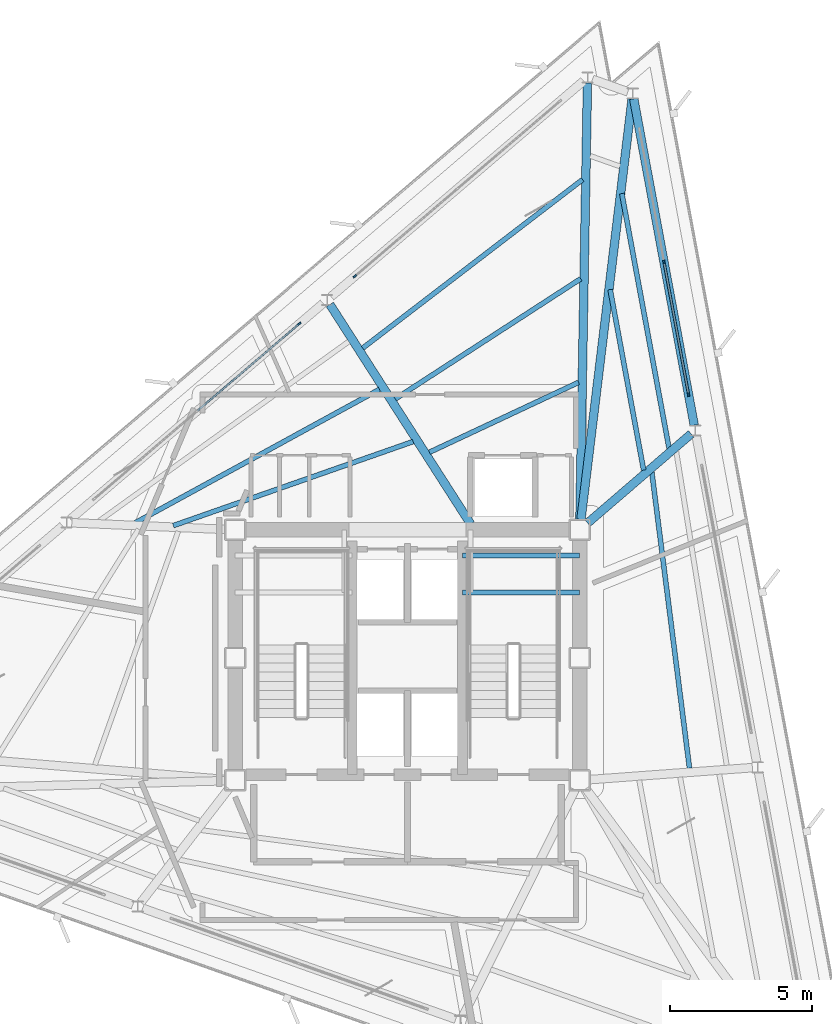
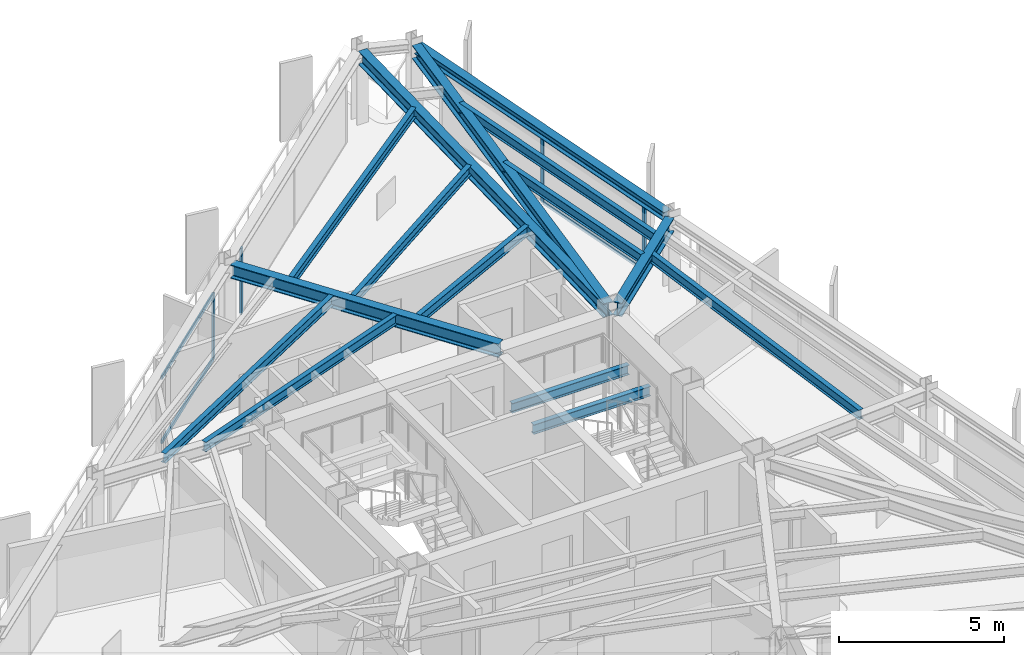
# One storey, part 5 of 14: 15 beams, 8 members, 3 elements without a shape of their own.
"""IFC4 building model written with IfcOpenShell, lengths in metres."""

from ifc_helpers import new_model, si_unit, direction, frame, origin, origin_2d, place, context, subcontext, project, spatial, rectangle, i_section, extrude, material, layer, layer_set, material_profile, profile_set, type_object, element, aggregate, save


model = new_model("IFC4")

# Units and contexts
model_context = context("Model", 3, precision=1e-05, world=origin(), true_north=direction((0.0, 1.0)))
body_context = subcontext(model_context, "Body", "Model", "MODEL_VIEW")
ifc_project = project(units=[si_unit("LENGTHUNIT", "METRE"), si_unit("AREAUNIT", "SQUARE_METRE"), si_unit("VOLUMEUNIT", "CUBIC_METRE"), si_unit("PLANEANGLEUNIT", "RADIAN"), si_unit("MASSUNIT", "GRAM", prefix="KILO")], contexts=[model_context])

# Site, building, storey
site_placement = place(None, origin())
site = spatial("IfcSite", under=ifc_project, at=site_placement, CompositionType="ELEMENT")
building_placement = place(site_placement, origin())
building = spatial("IfcBuilding", under=site, at=building_placement, Name="Rocaltana Carrier Exchange", CompositionType="ELEMENT")
storey_placement = place(building_placement, frame((0.0, 0.0, 184.47998046875)))
storey = spatial("IfcBuildingStorey", under=building, at=storey_placement, Name="L58", CompositionType="ELEMENT", Elevation=184.47998046875)

# Curtain wall, members
ifc_material_1 = material(Name="Aluminium 6063-T6", Category="aluminium")
ifc_layer = layer(ifc_material_1, 0.135009765625)
ifc_layer_set = layer_set([ifc_layer], Name="Aluminium 6063-T6")
curtain_wall_type = type_object("IfcCurtainWallType", Name="Upper-Mid Acoustic Curtain Wall CW-04", PredefinedType="NOTDEFINED", material=ifc_layer_set)
curtain_wall_1_placement = place(storey_placement, origin())
curtain_wall_1 = element("IfcCurtainWall", 1, at=curtain_wall_1_placement, inside=storey, type_object=curtain_wall_type, Name="L58 CW-04 Run CW-L58-F1S3", PredefinedType="NOTDEFINED")
ifc_material_2 = material(Name="Aluminium 6063-T6", Category="aluminium")
ifc_material_profile_1 = material_profile(ifc_material_2, rectangle(XDim=0.06494140625, YDim=0.135009765625, at=origin_2d()), Name="AL-65X135")
ifc_profile_set_1 = profile_set([ifc_material_profile_1], Name="Aluminium 6063-T6")
member_type_1 = type_object("IfcMemberType", Name="CW-04 Mullion AL-65X135", PredefinedType="MULLION", material=ifc_profile_set_1)
member_1_placement = place(storey_placement, frame((9.873046875, 9.25341796875, 0.0), z_axis=(0.0, 0.0, 1.0), x_axis=(-0.983254796134, -0.182236126712, 0.0)))
member_1 = element("IfcMember", 2, at=member_1_placement, type_object=member_type_1, Name="CW-04 mullion 1", PredefinedType="MULLION", context=body_context, shape_type="SweptSolid", body=[
    extrude(rectangle(XDim=0.06494140625, YDim=0.135009765625, at=origin_2d()), origin(), (0.0, 0.0, 1.0), 2.447998046875),
])
member_2_placement = place(storey_placement, frame((9.01025390625, 13.908203125, 0.0), z_axis=(0.0, 0.0, 1.0), x_axis=(-0.983254796134, -0.182236126712, 0.0)))
member_2 = element("IfcMember", 3, at=member_2_placement, type_object=member_type_1, Name="CW-04 mullion 2", PredefinedType="MULLION", context=body_context, shape_type="SweptSolid", body=[
    extrude(rectangle(XDim=0.06494140625, YDim=0.135009765625, at=origin_2d()), origin(), (0.0, 0.0, 1.0), 2.447998046875),
])

# Curtain wall, member
curtain_wall_2_placement = place(storey_placement, origin())
curtain_wall_2 = element("IfcCurtainWall", 4, at=curtain_wall_2_placement, inside=storey, type_object=curtain_wall_type, Name="L58 CW-04 Run CW-L58-F2S1", PredefinedType="NOTDEFINED")
member_3_placement = place(storey_placement, frame((-1.849365234375, 13.404541015625, 0.0), z_axis=(0.0, 0.0, 1.0), x_axis=(0.649447944918, -0.760406053922, 0.0)))
member_3 = element("IfcMember", 5, at=member_3_placement, type_object=member_type_1, Name="CW-04 mullion 3", PredefinedType="MULLION", context=body_context, shape_type="SweptSolid", body=[
    extrude(rectangle(XDim=0.06494140625, YDim=0.135009765625, at=origin_2d()), origin(), (0.0, 0.0, 1.0), 2.447998046875),
])
aggregate(curtain_wall_2, [member_3])

curtain_wall_3_placement = place(storey_placement, origin())
curtain_wall_3 = element("IfcCurtainWall", 6, at=curtain_wall_3_placement, inside=storey, type_object=curtain_wall_type, Name="L58 CW-04 Run CW-L58-F2S2", PredefinedType="NOTDEFINED")
member_4_placement = place(storey_placement, frame((-3.7998046875, 11.73876953125, 0.0), z_axis=(0.0, 0.0, 1.0), x_axis=(0.649454010067, -0.760400873756, 0.0)))
member_4 = element("IfcMember", 7, at=member_4_placement, type_object=member_type_1, Name="CW-04 mullion 1", PredefinedType="MULLION", context=body_context, shape_type="SweptSolid", body=[
    extrude(rectangle(XDim=0.06494140625, YDim=0.135009765625, at=origin_2d()), origin(), (0.0, 0.0, 1.0), 2.447998046875),
])

# Member
ifc_material_3 = material(Name="Aluminium 6063-T6", Category="aluminium")
ifc_material_profile_2 = material_profile(ifc_material_3, rectangle(XDim=0.06494140625, YDim=0.135009765625, at=origin_2d()), Name="AL-65X135")
ifc_profile_set_2 = profile_set([ifc_material_profile_2], Name="Aluminium 6063-T6")
member_type_2 = type_object("IfcMemberType", Name="CW-04 Transom AL-65X135", PredefinedType="USERDEFINED", material=ifc_profile_set_2)
member_5_placement = place(storey_placement, frame((9.866943359375, 9.285400390625, 0.032470703125), z_axis=(-0.182229691605, 0.983255988793, 0.0), x_axis=(-0.983255988793, -0.182229691605, 0.0)))
member_5 = element("IfcMember", 8, at=member_5_placement, type_object=member_type_2, Name="CW-04 transom 1.1", ObjectType="TRANSOM", PredefinedType="USERDEFINED", context=body_context, shape_type="SweptSolid", body=[
    extrude(rectangle(XDim=0.06494140625, YDim=0.135009765625, at=origin_2d()), origin(), (0.0, 0.0, 1.0), 4.6689453125),
])

member_6_placement = place(storey_placement, frame((9.866943359375, 9.285400390625, 2.41552734375), z_axis=(-0.182229691605, 0.983255988793, 0.0), x_axis=(-0.983255988793, -0.182229691605, 0.0)))
member_6 = element("IfcMember", 9, at=member_6_placement, type_object=member_type_2, Name="CW-04 transom 1.2", ObjectType="TRANSOM", PredefinedType="USERDEFINED", context=body_context, shape_type="SweptSolid", body=[
    extrude(rectangle(XDim=0.06494140625, YDim=0.135009765625, at=origin_2d()), origin(), (0.0, 0.0, 1.0), 4.6689453125),
])

aggregate(curtain_wall_1, [member_1, member_2, member_5, member_6])

member_7_placement = place(storey_placement, frame((-3.82470703125, 11.717529296875, 0.032470703125), z_axis=(-0.760381209804, -0.649477032525, 0.0), x_axis=(0.649477032525, -0.760381209804, 0.0)))
member_7 = element("IfcMember", 10, at=member_7_placement, type_object=member_type_2, Name="CW-04 transom 1.1", ObjectType="TRANSOM", PredefinedType="USERDEFINED", context=body_context, shape_type="SweptSolid", body=[
    extrude(rectangle(XDim=0.06494140625, YDim=0.135009765625, at=origin_2d()), origin(), (0.0, 0.0, 1.0), 4.669189453125),
])

member_8_placement = place(storey_placement, frame((-3.82470703125, 11.717529296875, 2.41552734375), z_axis=(-0.760381209804, -0.649477032525, 0.0), x_axis=(0.649477032525, -0.760381209804, 0.0)))
member_8 = element("IfcMember", 11, at=member_8_placement, type_object=member_type_2, Name="CW-04 transom 1.2", ObjectType="TRANSOM", PredefinedType="USERDEFINED", context=body_context, shape_type="SweptSolid", body=[
    extrude(rectangle(XDim=0.06494140625, YDim=0.135009765625, at=origin_2d()), origin(), (0.0, 0.0, 1.0), 4.669189453125),
])

aggregate(curtain_wall_3, [member_4, member_7, member_8])

# Beams
ifc_material_4 = material(Name="Steel S355", Category="steel")
ifc_material_profile_3 = material_profile(ifc_material_4, i_section(OverallWidth=0.172119140625, OverallDepth=0.35791015625, WebThickness=0.0078125, FlangeThickness=0.01318359375, FilletRadius=0.011962890625, at=origin_2d()), Name="W14X38")
ifc_profile_set_3 = profile_set([ifc_material_profile_3], Name="Steel S355")
beam_type_1 = type_object("IfcBeamType", Name="Floor Joist W14X38", PredefinedType="JOIST", material=ifc_profile_set_3)
for number, where, z_axis, x_axis, name in (
    (12, (1.93994140625, 2.300048828125, 1.14111328125), (1.0, 0.0, 0.0), (0.0, 1.0, 0.0), "L58 ST-2 Landing Carrier 1"),
    (13, (1.93994140625, 3.60009765625, 1.14111328125), (1.0, 0.0, 0.0), (0.0, 1.0, 0.0), "L58 ST-2 Landing Carrier 2"),
):
    element("IfcBeam", number, at=place(storey_placement, frame(where, z_axis=z_axis, x_axis=x_axis)), inside=storey, type_object=beam_type_1, Name=name, PredefinedType="JOIST", context=body_context, shape_type="SweptSolid", body=[
        extrude(i_section(OverallWidth=0.172119140625, OverallDepth=0.35791015625, WebThickness=0.0078125, FlangeThickness=0.01318359375, FilletRadius=0.011962890625, at=origin_2d()), origin(), (0.0, 0.0, 1.0), 4.110107421875),
    ])
beam_1_placement = place(storey_placement, frame((9.906494140625, -3.87158203125, 2.619140625), z_axis=(-0.126288464716, 0.991993560301, 0.0), x_axis=(-0.991993560301, -0.126288464716, 0.0)))
element("IfcBeam", 14, at=beam_1_placement, inside=storey, type_object=beam_type_1, Name="FJ-L58-02-2", PredefinedType="JOIST", context=body_context, shape_type="SweptSolid", body=[
    extrude(i_section(OverallWidth=0.172119140625, OverallDepth=0.35791015625, WebThickness=0.0078125, FlangeThickness=0.01318359375, FilletRadius=0.011962890625, at=origin_2d()), origin(), (0.0, 0.0, 1.0), 10.47802734375),
])
beam_2_placement = place(storey_placement, frame((8.29541015625, 6.597412109375, 2.619140625), z_axis=(-0.182201749781, 0.983261166922, 0.0), x_axis=(-0.983261166922, -0.182201749781, 0.0)))
element("IfcBeam", 15, at=beam_2_placement, inside=storey, type_object=beam_type_1, Name="FJ-L58-03-2", PredefinedType="JOIST", context=body_context, shape_type="SweptSolid", body=[
    extrude(i_section(OverallWidth=0.172119140625, OverallDepth=0.35791015625, WebThickness=0.0078125, FlangeThickness=0.01318359375, FilletRadius=0.011962890625, at=origin_2d()), origin(), (0.0, 0.0, 1.0), 6.450439453125),
])
beam_3_placement = place(storey_placement, frame((9.18798828125, 7.365478515625, 2.619140625), z_axis=(-0.18223051112, 0.98325583691, 0.0), x_axis=(-0.98325583691, -0.18223051112, 0.0)))
element("IfcBeam", 16, at=beam_3_placement, inside=storey, type_object=beam_type_1, Name="FJ-L58-03-3", PredefinedType="JOIST", context=body_context, shape_type="SweptSolid", body=[
    extrude(i_section(OverallWidth=0.172119140625, OverallDepth=0.35791015625, WebThickness=0.0078125, FlangeThickness=0.01318359375, FilletRadius=0.011962890625, at=origin_2d()), origin(), (0.0, 0.0, 1.0), 9.09814453125),
])
beam_4_placement = place(storey_placement, frame((6.010498046875, 9.681396484375, 2.619140625), z_axis=(-0.905370731106, -0.42462199573, 0.0), x_axis=(0.42462199573, -0.905370731106, 0.0)))
element("IfcBeam", 17, at=beam_4_placement, inside=storey, type_object=beam_type_1, Name="FJ-L58-05-1", PredefinedType="JOIST", context=body_context, shape_type="SweptSolid", body=[
    extrude(i_section(OverallWidth=0.172119140625, OverallDepth=0.35791015625, WebThickness=0.0078125, FlangeThickness=0.01318359375, FilletRadius=0.011962890625, at=origin_2d()), origin(), (0.0, 0.0, 1.0), 5.78515625),
])
beam_5_placement = place(storey_placement, frame((6.08349609375, 13.318115234375, 2.619140625), z_axis=(-0.839155380269, -0.543891761075, 0.0), x_axis=(0.543891761075, -0.839155380269, 0.0)))
element("IfcBeam", 18, at=beam_5_placement, inside=storey, type_object=beam_type_1, Name="FJ-L58-05-2", PredefinedType="JOIST", context=body_context, shape_type="SweptSolid", body=[
    extrude(i_section(OverallWidth=0.172119140625, OverallDepth=0.35791015625, WebThickness=0.0078125, FlangeThickness=0.01318359375, FilletRadius=0.011962890625, at=origin_2d()), origin(), (0.0, 0.0, 1.0), 7.75830078125),
])
beam_6_placement = place(storey_placement, frame((6.150634765625, 16.803955078125, 2.619140625), z_axis=(-0.793620898392, -0.608412581753, 0.0), x_axis=(0.608412581753, -0.793620898392, 0.0)))
element("IfcBeam", 19, at=beam_6_placement, inside=storey, type_object=beam_type_1, Name="FJ-L58-05-3", PredefinedType="JOIST", context=body_context, shape_type="SweptSolid", body=[
    extrude(i_section(OverallWidth=0.172119140625, OverallDepth=0.35791015625, WebThickness=0.0078125, FlangeThickness=0.01318359375, FilletRadius=0.011962890625, at=origin_2d()), origin(), (0.0, 0.0, 1.0), 9.73095703125),
])
beam_7_placement = place(storey_placement, frame((0.196044921875, 7.600341796875, 2.619140625), z_axis=(-0.943672237623, -0.330881712913, 0.0), x_axis=(0.330881712913, -0.943672237623, 0.0)))
element("IfcBeam", 20, at=beam_7_placement, inside=storey, type_object=beam_type_1, Name="FJ-L58-06-1", PredefinedType="JOIST", context=body_context, shape_type="SweptSolid", body=[
    extrude(i_section(OverallWidth=0.172119140625, OverallDepth=0.35791015625, WebThickness=0.0078125, FlangeThickness=0.01318359375, FilletRadius=0.011962890625, at=origin_2d()), origin(), (0.0, 0.0, 1.0), 8.923583984375),
])
beam_8_placement = place(storey_placement, frame((-0.984619140625, 9.435302734375, 2.619140625), z_axis=(-0.877487444281, -0.479599609184, 0.0), x_axis=(0.479599609184, -0.877487444281, 0.0)))
element("IfcBeam", 21, at=beam_8_placement, inside=storey, type_object=beam_type_1, Name="FJ-L58-06-2", PredefinedType="JOIST", context=body_context, shape_type="SweptSolid", body=[
    extrude(i_section(OverallWidth=0.172119140625, OverallDepth=0.35791015625, WebThickness=0.0078125, FlangeThickness=0.01318359375, FilletRadius=0.011962890625, at=origin_2d()), origin(), (0.0, 0.0, 1.0), 9.81494140625),
])
ifc_material_5 = material(Name="Steel S355", Category="steel")
ifc_material_profile_4 = material_profile(ifc_material_5, i_section(OverallWidth=0.300048828125, OverallDepth=0.320068359375, WebThickness=0.011474609375, FlangeThickness=0.0205078125, FilletRadius=0.027099609375, at=origin_2d()), Name="HEB320")
ifc_profile_set_4 = profile_set([ifc_material_profile_4], Name="Steel S355")
beam_type_2 = type_object("IfcBeamType", Name="Spandrel Edge Beam HEB320", PredefinedType="SPANDREL", material=ifc_profile_set_4)
beam_9_placement = place(storey_placement, frame((10.072998046875, 8.1748046875, 2.637939453125), z_axis=(-0.182255678448, 0.983251172221, 0.0), x_axis=(-0.983251172221, -0.182255678448, 0.0)))
element("IfcBeam", 22, at=beam_9_placement, inside=storey, type_object=beam_type_2, Name="SP-L58-03", PredefinedType="SPANDREL", context=body_context, shape_type="SweptSolid", body=[
    extrude(i_section(OverallWidth=0.300048828125, OverallDepth=0.320068359375, WebThickness=0.011474609375, FlangeThickness=0.0205078125, FilletRadius=0.027099609375, at=origin_2d()), origin(), (0.0, 0.0, 1.0), 11.662109375),
])
ifc_material_6 = material(Name="Steel S355", Category="steel")
ifc_material_profile_5 = material_profile(ifc_material_6, i_section(OverallWidth=0.300048828125, OverallDepth=0.5, WebThickness=0.014404296875, FlangeThickness=0.028076171875, FilletRadius=0.027099609375, at=origin_2d()), Name="HEB500")
ifc_profile_set_5 = profile_set([ifc_material_profile_5], Name="Steel S355")
beam_type_3 = type_object("IfcBeamType", Name="Upper Radial Girder HEB500", PredefinedType="BEAM", material=ifc_profile_set_5)
beam_10_placement = place(storey_placement, frame((6.328125, 4.739501953125, 2.548095703125), z_axis=(0.757854718063, 0.652423348991, 0.0), x_axis=(-0.652423348991, 0.757854718063, 0.0)))
element("IfcBeam", 23, at=beam_10_placement, inside=storey, type_object=beam_type_3, Name="RG-L58-03", PredefinedType="BEAM", context=body_context, shape_type="SweptSolid", body=[
    extrude(i_section(OverallWidth=0.300048828125, OverallDepth=0.5, WebThickness=0.014404296875, FlangeThickness=0.028076171875, FilletRadius=0.027099609375, at=origin_2d()), origin(), (0.0, 0.0, 1.0), 4.80029296875),
])
beam_11_placement = place(storey_placement, frame((6.09423828125, 4.8642578125, 2.548095703125), z_axis=(0.120737437197, 0.992684477193, 0.0), x_axis=(-0.992684477193, 0.120737437197, 0.0)))
element("IfcBeam", 24, at=beam_11_placement, inside=storey, type_object=beam_type_3, Name="RG-L58-04", PredefinedType="BEAM", context=body_context, shape_type="SweptSolid", body=[
    extrude(i_section(OverallWidth=0.300048828125, OverallDepth=0.5, WebThickness=0.014404296875, FlangeThickness=0.028076171875, FilletRadius=0.027099609375, at=origin_2d()), origin(), (0.0, 0.0, 1.0), 14.884521484375),
])
beam_12_placement = place(storey_placement, frame((6.056396484375, 4.866943359375, 2.548095703125), z_axis=(0.017335674052, 0.999849725911, 0.0), x_axis=(-0.999849725911, 0.017335674052, 0.0)))
element("IfcBeam", 25, at=beam_12_placement, inside=storey, type_object=beam_type_3, Name="RG-L58-05", PredefinedType="BEAM", context=body_context, shape_type="SweptSolid", body=[
    extrude(i_section(OverallWidth=0.300048828125, OverallDepth=0.5, WebThickness=0.014404296875, FlangeThickness=0.028076171875, FilletRadius=0.027099609375, at=origin_2d()), origin(), (0.0, 0.0, 1.0), 15.33642578125),
])
beam_13_placement = place(storey_placement, frame((2.219482421875, 4.70361328125, 2.548095703125), z_axis=(-0.539721329294, 0.841843742452, 0.0), x_axis=(-0.841843742452, -0.539721329294, 0.0)))
element("IfcBeam", 26, at=beam_13_placement, inside=storey, type_object=beam_type_3, Name="RG-L58-06", PredefinedType="BEAM", context=body_context, shape_type="SweptSolid", body=[
    extrude(i_section(OverallWidth=0.300048828125, OverallDepth=0.5, WebThickness=0.014404296875, FlangeThickness=0.028076171875, FilletRadius=0.027099609375, at=origin_2d()), origin(), (0.0, 0.0, 1.0), 9.160400390625),
])

save(model, "model.ifc")
